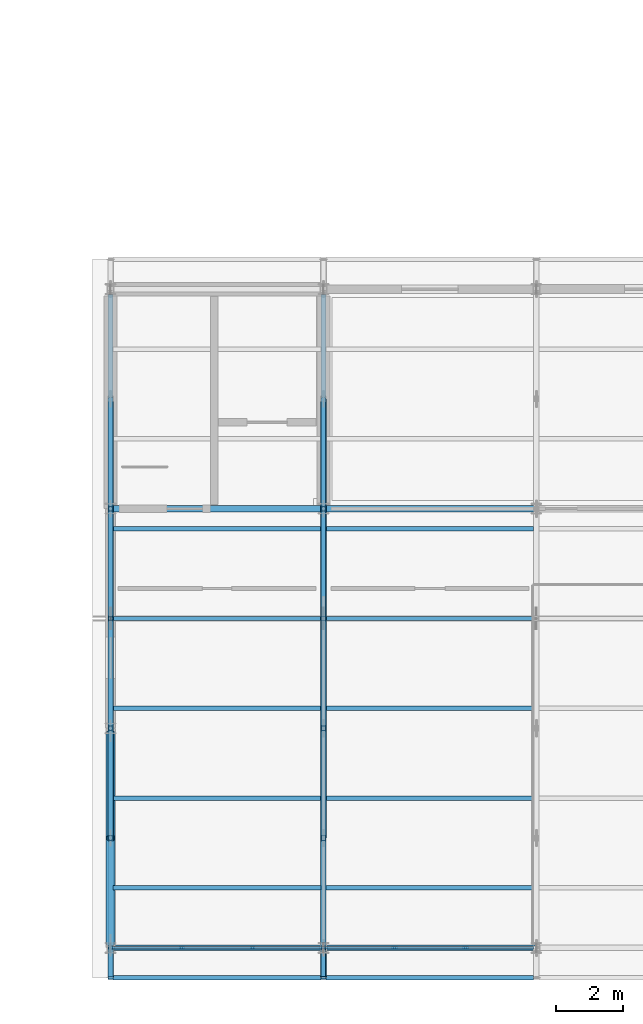
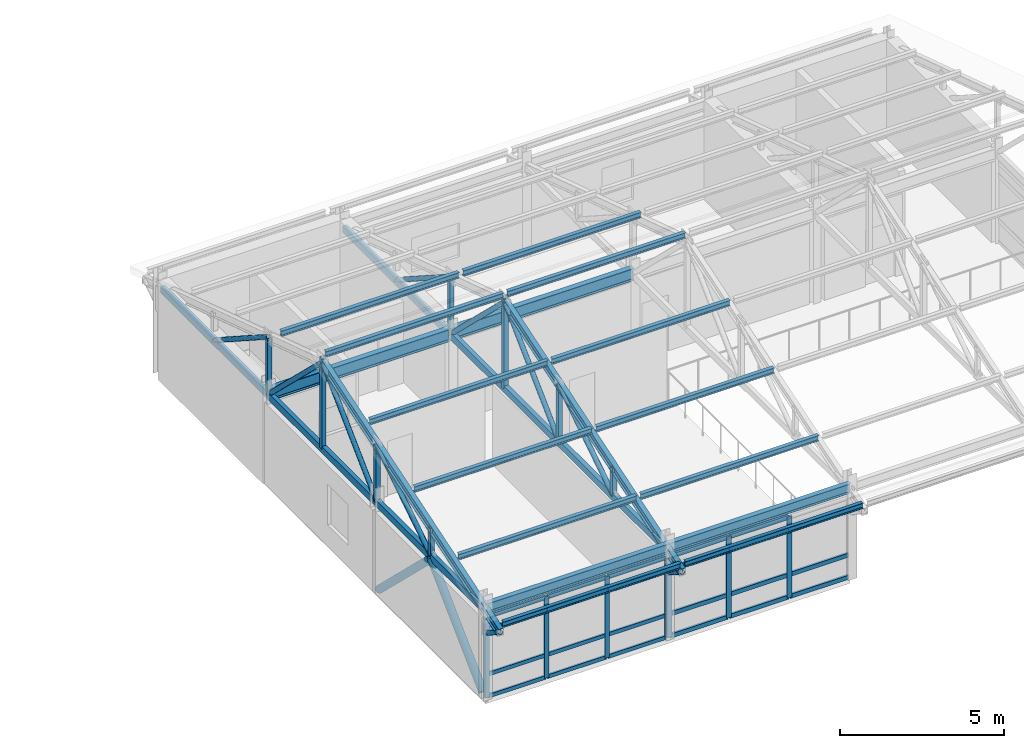
# One storey, part 13 of 57: 65 members, 4 beams, 2 elements without a shape of their own.
"""IFC4 building model written with IfcOpenShell, lengths in metres."""

from ifc_helpers import new_model, si_unit, direction, frame, origin, origin_2d, place, context, subcontext, project, spatial, rectangle, hollow_rectangle, hollow_circle, i_section, extrude, material, layer, layer_set, material_profile, profile_set, type_object, element, aggregate, save


model = new_model("IFC4")

# Units and contexts
model_context = context("Model", 3, precision=1e-05, world=origin(), true_north=direction((0.0, 1.0)))
body_context = subcontext(model_context, "Body", "Model", "MODEL_VIEW")
ifc_project = project(units=[si_unit("LENGTHUNIT", "METRE"), si_unit("AREAUNIT", "SQUARE_METRE"), si_unit("VOLUMEUNIT", "CUBIC_METRE"), si_unit("PLANEANGLEUNIT", "RADIAN"), si_unit("MASSUNIT", "GRAM", prefix="KILO")], contexts=[model_context])

# Site, building, storey
site_placement = place(None, origin())
site = spatial("IfcSite", under=ifc_project, at=site_placement, CompositionType="ELEMENT")
building_placement = place(site_placement, origin())
building = spatial("IfcBuilding", under=site, at=building_placement, Name="Trelmorton Wharf Fire Station", CompositionType="ELEMENT")
storey_placement = place(building_placement, frame((0.0, 0.0, 13.5)))
storey = spatial("IfcBuildingStorey", under=building, at=storey_placement, Name="L03", CompositionType="ELEMENT", Elevation=13.5)

# Beams
ifc_material_1 = material(Name="Steel Grade 350", Category="steel")
ifc_material_profile_1 = material_profile(ifc_material_1, i_section(OverallWidth=0.18994140625, OverallDepth=0.45703125, WebThickness=0.009033203125, FlangeThickness=0.014404296875, FilletRadius=0.011474609375, at=origin_2d()), Name="460UB74.6")
ifc_profile_set_1 = profile_set([ifc_material_profile_1], Name="Steel Grade 350")
beam_type_1 = type_object("IfcBeamType", Name="BM_460UB75", PredefinedType="BEAM", material=ifc_profile_set_1)
beam_1_placement = place(storey_placement, frame((58.00390625, 21.0, 3.29150390625), z_axis=(1.0, 0.0, 0.0), x_axis=(0.0, 1.0, 0.0)))
element("IfcBeam", 1, at=beam_1_placement, inside=storey, type_object=beam_type_1, Name="BM-L03-0893", PredefinedType="BEAM", context=body_context, shape_type="SweptSolid", body=[
    extrude(i_section(OverallWidth=0.18994140625, OverallDepth=0.45703125, WebThickness=0.009033203125, FlangeThickness=0.014404296875, FilletRadius=0.011474609375, at=origin_2d()), origin(), (0.0, 0.0, 1.0), 6.39208984375),
])
beam_2_placement = place(storey_placement, frame((64.404052734375, 21.0, 3.29150390625), z_axis=(1.0, 0.0, 0.0), x_axis=(0.0, 1.0, 0.0)))
element("IfcBeam", 2, at=beam_2_placement, inside=storey, type_object=beam_type_1, Name="BM-L03-0894", PredefinedType="BEAM", context=body_context, shape_type="SweptSolid", body=[
    extrude(i_section(OverallWidth=0.18994140625, OverallDepth=0.45703125, WebThickness=0.009033203125, FlangeThickness=0.014404296875, FilletRadius=0.011474609375, at=origin_2d()), origin(), (0.0, 0.0, 1.0), 6.391845703125),
])

# Members
ifc_material_2 = material(Name="Steel C350L0 (350 MPa)", Category="steel")
ifc_material_profile_2 = material_profile(ifc_material_2, hollow_circle(Radius=0.136474609375, WallThickness=0.00927734375, at=origin_2d()), Name="273.1x9.3CHS")
ifc_profile_set_2 = profile_set([ifc_material_profile_2], Name="Steel C350L0 (350 MPa)")
member_type_1 = type_object("IfcMemberType", Name="BR_273CHS", PredefinedType="BRACE", material=ifc_profile_set_2)
for number, where, z_axis, x_axis, name in (
    (3, (58.0, 7.95458984375, 0.1201171875), (0.0, 0.717944274776, 0.696100580604), (-1.0, 0.0, 0.0), "CBF-V3-W-L03-A"),
    (4, (58.0, 14.24560546875, 0.1201171875), (0.0, -0.717944274776, 0.696100580604), (1.0, 0.0, 0.0), "CBF-V3-W-L03-B"),
):
    element("IfcMember", number, at=place(storey_placement, frame(where, z_axis=z_axis, x_axis=x_axis)), inside=storey, type_object=member_type_1, Name=name, PredefinedType="BRACE", context=body_context, shape_type="SweptSolid", body=[
        extrude(hollow_circle(Radius=0.136474609375, WallThickness=0.00927734375, at=origin_2d()), origin(), (0.0, 0.0, 1.0), 4.38134765625),
    ])

# Curtain wall, members
ifc_material_3 = material(Name="Anodised aluminium AW-6063", Category="aluminium")
ifc_layer = layer(ifc_material_3, 0.159912109375)
ifc_layer_set = layer_set([ifc_layer], Name="Anodised aluminium AW-6063")
curtain_wall_type = type_object("IfcCurtainWallType", Name="CW_CHIC_A", PredefinedType="USERDEFINED", material=ifc_layer_set)
curtain_wall_1_placement = place(storey_placement, origin())
curtain_wall_1 = element("IfcCurtainWall", 5, at=curtain_wall_1_placement, inside=storey, type_object=curtain_wall_type, Name="CW-V3-L03-025", ObjectType="CHICAGO BAY CURTAIN WALL", PredefinedType="USERDEFINED")
ifc_material_profile_3 = material_profile(ifc_material_3, rectangle(XDim=0.06494140625, YDim=0.159912109375, at=origin_2d()), Name="ALU-65x160")
ifc_profile_set_3 = profile_set([ifc_material_profile_3], Name="Anodised aluminium AW-6063")
member_type_2 = type_object("IfcMemberType", Name="CWM_65x160", PredefinedType="MULLION", material=ifc_profile_set_3)
member_1_placement = place(storey_placement, frame((64.364990234375, 7.800048828125, 0.0), z_axis=(0.0, 0.0, 1.0), x_axis=(0.0, -1.0, 0.0)))
member_1 = element("IfcMember", 6, at=member_1_placement, type_object=member_type_2, Name="CW1 mullion 1", PredefinedType="MULLION", context=body_context, shape_type="SweptSolid", body=[
    extrude(rectangle(XDim=0.06494140625, YDim=0.159912109375, at=origin_2d()), origin(), (0.0, 0.0, 1.0), 3.02001953125),
])
member_2_placement = place(storey_placement, frame((62.264892578125, 7.800048828125, 0.0), z_axis=(0.0, 0.0, 1.0), x_axis=(0.0, -1.0, 0.0)))
member_2 = element("IfcMember", 7, at=member_2_placement, type_object=member_type_2, Name="CW1 mullion 2", PredefinedType="MULLION", context=body_context, shape_type="SweptSolid", body=[
    extrude(rectangle(XDim=0.06494140625, YDim=0.159912109375, at=origin_2d()), origin(), (0.0, 0.0, 1.0), 3.02001953125),
])
member_3_placement = place(storey_placement, frame((60.135009765625, 7.800048828125, 0.0), z_axis=(0.0, 0.0, 1.0), x_axis=(0.0, -1.0, 0.0)))
member_3 = element("IfcMember", 8, at=member_3_placement, type_object=member_type_2, Name="CW1 mullion 3", PredefinedType="MULLION", context=body_context, shape_type="SweptSolid", body=[
    extrude(rectangle(XDim=0.06494140625, YDim=0.159912109375, at=origin_2d()), origin(), (0.0, 0.0, 1.0), 3.02001953125),
])
member_4_placement = place(storey_placement, frame((58.034912109375, 7.800048828125, 0.0), z_axis=(0.0, 0.0, 1.0), x_axis=(0.0, -1.0, 0.0)))
member_4 = element("IfcMember", 9, at=member_4_placement, type_object=member_type_2, Name="CW1 mullion 4", PredefinedType="MULLION", context=body_context, shape_type="SweptSolid", body=[
    extrude(rectangle(XDim=0.06494140625, YDim=0.159912109375, at=origin_2d()), origin(), (0.0, 0.0, 1.0), 3.02001953125),
])

curtain_wall_2_placement = place(storey_placement, origin())
curtain_wall_2 = element("IfcCurtainWall", 10, at=curtain_wall_2_placement, inside=storey, type_object=curtain_wall_type, Name="CW-V3-L03-026", ObjectType="CHICAGO BAY CURTAIN WALL", PredefinedType="USERDEFINED")
ifc_material_profile_4 = material_profile(ifc_material_3, rectangle(XDim=0.074951171875, YDim=0.175048828125, at=origin_2d()), Name="ALU-75x175")
ifc_profile_set_4 = profile_set([ifc_material_profile_4], Name="Anodised aluminium AW-6063")
member_type_3 = type_object("IfcMemberType", Name="CWM_75x175", PredefinedType="MULLION", material=ifc_profile_set_4)
member_5_placement = place(storey_placement, frame((68.6650390625, 7.800048828125, 0.0), z_axis=(0.0, 0.0, 1.0), x_axis=(0.0, -1.0, 0.0)))
member_5 = element("IfcMember", 11, at=member_5_placement, type_object=member_type_3, Name="CW1 mullion 2", PredefinedType="MULLION", context=body_context, shape_type="SweptSolid", body=[
    extrude(rectangle(XDim=0.074951171875, YDim=0.175048828125, at=origin_2d()), origin(), (0.0, 0.0, 1.0), 3.02001953125),
])
member_6_placement = place(storey_placement, frame((66.534912109375, 7.800048828125, 0.0), z_axis=(0.0, 0.0, 1.0), x_axis=(0.0, -1.0, 0.0)))
member_6 = element("IfcMember", 12, at=member_6_placement, type_object=member_type_3, Name="CW1 mullion 3", PredefinedType="MULLION", context=body_context, shape_type="SweptSolid", body=[
    extrude(rectangle(XDim=0.074951171875, YDim=0.175048828125, at=origin_2d()), origin(), (0.0, 0.0, 1.0), 3.02001953125),
])
member_7_placement = place(storey_placement, frame((64.43505859375, 7.800048828125, 0.0), z_axis=(0.0, 0.0, 1.0), x_axis=(0.0, -1.0, 0.0)))
member_7 = element("IfcMember", 13, at=member_7_placement, type_object=member_type_3, Name="CW1 mullion 4", PredefinedType="MULLION", context=body_context, shape_type="SweptSolid", body=[
    extrude(rectangle(XDim=0.074951171875, YDim=0.175048828125, at=origin_2d()), origin(), (0.0, 0.0, 1.0), 3.02001953125),
])

# Member
ifc_material_profile_5 = material_profile(ifc_material_3, rectangle(XDim=0.06494140625, YDim=0.139892578125, at=origin_2d()), Name="ALU-65x140")
ifc_profile_set_5 = profile_set([ifc_material_profile_5], Name="Anodised aluminium AW-6063")
member_type_4 = type_object("IfcMemberType", Name="CWT_65x140", PredefinedType="USERDEFINED", material=ifc_profile_set_5)
member_8_placement = place(storey_placement, frame((64.3349609375, 7.800048828125, 0.030029296875), z_axis=(-1.0, 0.0, 0.0), x_axis=(0.0, -1.0, 0.0)))
member_8 = element("IfcMember", 14, at=member_8_placement, type_object=member_type_4, Name="CW1 transom 1.1", ObjectType="TRANSOM", PredefinedType="USERDEFINED", context=body_context, shape_type="SweptSolid", body=[
    extrude(rectangle(XDim=0.06494140625, YDim=0.139892578125, at=origin_2d()), origin(), (0.0, 0.0, 1.0), 2.0400390625),
])

member_9_placement = place(storey_placement, frame((64.3349609375, 7.800048828125, 0.85009765625), z_axis=(-1.0, 0.0, 0.0), x_axis=(0.0, -1.0, 0.0)))
member_9 = element("IfcMember", 15, at=member_9_placement, type_object=member_type_4, Name="CW1 transom 1.2", ObjectType="TRANSOM", PredefinedType="USERDEFINED", context=body_context, shape_type="SweptSolid", body=[
    extrude(rectangle(XDim=0.06494140625, YDim=0.139892578125, at=origin_2d()), origin(), (0.0, 0.0, 1.0), 2.0400390625),
])

member_10_placement = place(storey_placement, frame((64.3349609375, 7.800048828125, 2.52001953125), z_axis=(-1.0, 0.0, 0.0), x_axis=(0.0, -1.0, 0.0)))
member_10 = element("IfcMember", 16, at=member_10_placement, type_object=member_type_4, Name="CW1 transom 1.3", ObjectType="TRANSOM", PredefinedType="USERDEFINED", context=body_context, shape_type="SweptSolid", body=[
    extrude(rectangle(XDim=0.06494140625, YDim=0.139892578125, at=origin_2d()), origin(), (0.0, 0.0, 1.0), 2.0400390625),
])

member_11_placement = place(storey_placement, frame((64.3349609375, 7.800048828125, 2.989990234375), z_axis=(-1.0, 0.0, 0.0), x_axis=(0.0, -1.0, 0.0)))
member_11 = element("IfcMember", 17, at=member_11_placement, type_object=member_type_4, Name="CW1 transom 1.4", ObjectType="TRANSOM", PredefinedType="USERDEFINED", context=body_context, shape_type="SweptSolid", body=[
    extrude(rectangle(XDim=0.06494140625, YDim=0.139892578125, at=origin_2d()), origin(), (0.0, 0.0, 1.0), 2.0400390625),
])

member_12_placement = place(storey_placement, frame((62.235107421875, 7.800048828125, 0.030029296875), z_axis=(-1.0, 0.0, 0.0), x_axis=(0.0, -1.0, 0.0)))
member_12 = element("IfcMember", 18, at=member_12_placement, type_object=member_type_4, Name="CW1 transom 2.1", ObjectType="TRANSOM", PredefinedType="USERDEFINED", context=body_context, shape_type="SweptSolid", body=[
    extrude(rectangle(XDim=0.06494140625, YDim=0.139892578125, at=origin_2d()), origin(), (0.0, 0.0, 1.0), 2.070068359375),
])

member_13_placement = place(storey_placement, frame((62.235107421875, 7.800048828125, 0.85009765625), z_axis=(-1.0, 0.0, 0.0), x_axis=(0.0, -1.0, 0.0)))
member_13 = element("IfcMember", 19, at=member_13_placement, type_object=member_type_4, Name="CW1 transom 2.2", ObjectType="TRANSOM", PredefinedType="USERDEFINED", context=body_context, shape_type="SweptSolid", body=[
    extrude(rectangle(XDim=0.06494140625, YDim=0.139892578125, at=origin_2d()), origin(), (0.0, 0.0, 1.0), 2.070068359375),
])

member_14_placement = place(storey_placement, frame((62.235107421875, 7.800048828125, 2.52001953125), z_axis=(-1.0, 0.0, 0.0), x_axis=(0.0, -1.0, 0.0)))
member_14 = element("IfcMember", 20, at=member_14_placement, type_object=member_type_4, Name="CW1 transom 2.3", ObjectType="TRANSOM", PredefinedType="USERDEFINED", context=body_context, shape_type="SweptSolid", body=[
    extrude(rectangle(XDim=0.06494140625, YDim=0.139892578125, at=origin_2d()), origin(), (0.0, 0.0, 1.0), 2.070068359375),
])

member_15_placement = place(storey_placement, frame((62.235107421875, 7.800048828125, 2.989990234375), z_axis=(-1.0, 0.0, 0.0), x_axis=(0.0, -1.0, 0.0)))
member_15 = element("IfcMember", 21, at=member_15_placement, type_object=member_type_4, Name="CW1 transom 2.4", ObjectType="TRANSOM", PredefinedType="USERDEFINED", context=body_context, shape_type="SweptSolid", body=[
    extrude(rectangle(XDim=0.06494140625, YDim=0.139892578125, at=origin_2d()), origin(), (0.0, 0.0, 1.0), 2.070068359375),
])

member_16_placement = place(storey_placement, frame((60.10498046875, 7.800048828125, 0.030029296875), z_axis=(-1.0, 0.0, 0.0), x_axis=(0.0, -1.0, 0.0)))
member_16 = element("IfcMember", 22, at=member_16_placement, type_object=member_type_4, Name="CW1 transom 3.1", ObjectType="TRANSOM", PredefinedType="USERDEFINED", context=body_context, shape_type="SweptSolid", body=[
    extrude(rectangle(XDim=0.06494140625, YDim=0.139892578125, at=origin_2d()), origin(), (0.0, 0.0, 1.0), 2.0400390625),
])

member_17_placement = place(storey_placement, frame((60.10498046875, 7.800048828125, 0.85009765625), z_axis=(-1.0, 0.0, 0.0), x_axis=(0.0, -1.0, 0.0)))
member_17 = element("IfcMember", 23, at=member_17_placement, type_object=member_type_4, Name="CW1 transom 3.2", ObjectType="TRANSOM", PredefinedType="USERDEFINED", context=body_context, shape_type="SweptSolid", body=[
    extrude(rectangle(XDim=0.06494140625, YDim=0.139892578125, at=origin_2d()), origin(), (0.0, 0.0, 1.0), 2.0400390625),
])

member_18_placement = place(storey_placement, frame((60.10498046875, 7.800048828125, 2.52001953125), z_axis=(-1.0, 0.0, 0.0), x_axis=(0.0, -1.0, 0.0)))
member_18 = element("IfcMember", 24, at=member_18_placement, type_object=member_type_4, Name="CW1 transom 3.3", ObjectType="TRANSOM", PredefinedType="USERDEFINED", context=body_context, shape_type="SweptSolid", body=[
    extrude(rectangle(XDim=0.06494140625, YDim=0.139892578125, at=origin_2d()), origin(), (0.0, 0.0, 1.0), 2.0400390625),
])

member_19_placement = place(storey_placement, frame((60.10498046875, 7.800048828125, 2.989990234375), z_axis=(-1.0, 0.0, 0.0), x_axis=(0.0, -1.0, 0.0)))
member_19 = element("IfcMember", 25, at=member_19_placement, type_object=member_type_4, Name="CW1 transom 3.4", ObjectType="TRANSOM", PredefinedType="USERDEFINED", context=body_context, shape_type="SweptSolid", body=[
    extrude(rectangle(XDim=0.06494140625, YDim=0.139892578125, at=origin_2d()), origin(), (0.0, 0.0, 1.0), 2.0400390625),
])

aggregate(curtain_wall_1, [member_1, member_2, member_3, member_4, member_8, member_9, member_10, member_11, member_12, member_13, member_14, member_15, member_16, member_17, member_18, member_19])

ifc_material_profile_6 = material_profile(ifc_material_3, rectangle(XDim=0.074951171875, YDim=0.155029296875, at=origin_2d()), Name="ALU-75x155")
ifc_profile_set_6 = profile_set([ifc_material_profile_6], Name="Anodised aluminium AW-6063")
member_type_5 = type_object("IfcMemberType", Name="CWT_75x155", PredefinedType="USERDEFINED", material=ifc_profile_set_6)
member_20_placement = place(storey_placement, frame((70.735107421875, 7.800048828125, 0.030029296875), z_axis=(-1.0, 0.0, 0.0), x_axis=(0.0, -1.0, 0.0)))
member_20 = element("IfcMember", 26, at=member_20_placement, type_object=member_type_5, Name="CW1 transom 1.1", ObjectType="TRANSOM", PredefinedType="USERDEFINED", context=body_context, shape_type="SweptSolid", body=[
    extrude(rectangle(XDim=0.074951171875, YDim=0.155029296875, at=origin_2d()), origin(), (0.0, 0.0, 1.0), 2.0400390625),
])

member_21_placement = place(storey_placement, frame((70.735107421875, 7.800048828125, 0.85009765625), z_axis=(-1.0, 0.0, 0.0), x_axis=(0.0, -1.0, 0.0)))
member_21 = element("IfcMember", 27, at=member_21_placement, type_object=member_type_5, Name="CW1 transom 1.2", ObjectType="TRANSOM", PredefinedType="USERDEFINED", context=body_context, shape_type="SweptSolid", body=[
    extrude(rectangle(XDim=0.074951171875, YDim=0.155029296875, at=origin_2d()), origin(), (0.0, 0.0, 1.0), 2.0400390625),
])

member_22_placement = place(storey_placement, frame((68.635009765625, 7.800048828125, 0.030029296875), z_axis=(-1.0, 0.0, 0.0), x_axis=(0.0, -1.0, 0.0)))
member_22 = element("IfcMember", 28, at=member_22_placement, type_object=member_type_5, Name="CW1 transom 2.1", ObjectType="TRANSOM", PredefinedType="USERDEFINED", context=body_context, shape_type="SweptSolid", body=[
    extrude(rectangle(XDim=0.074951171875, YDim=0.155029296875, at=origin_2d()), origin(), (0.0, 0.0, 1.0), 2.070068359375),
])

member_23_placement = place(storey_placement, frame((68.635009765625, 7.800048828125, 0.85009765625), z_axis=(-1.0, 0.0, 0.0), x_axis=(0.0, -1.0, 0.0)))
member_23 = element("IfcMember", 29, at=member_23_placement, type_object=member_type_5, Name="CW1 transom 2.2", ObjectType="TRANSOM", PredefinedType="USERDEFINED", context=body_context, shape_type="SweptSolid", body=[
    extrude(rectangle(XDim=0.074951171875, YDim=0.155029296875, at=origin_2d()), origin(), (0.0, 0.0, 1.0), 2.070068359375),
])

member_24_placement = place(storey_placement, frame((68.635009765625, 7.800048828125, 2.52001953125), z_axis=(-1.0, 0.0, 0.0), x_axis=(0.0, -1.0, 0.0)))
member_24 = element("IfcMember", 30, at=member_24_placement, type_object=member_type_5, Name="CW1 transom 2.3", ObjectType="TRANSOM", PredefinedType="USERDEFINED", context=body_context, shape_type="SweptSolid", body=[
    extrude(rectangle(XDim=0.074951171875, YDim=0.155029296875, at=origin_2d()), origin(), (0.0, 0.0, 1.0), 2.070068359375),
])

member_25_placement = place(storey_placement, frame((68.635009765625, 7.800048828125, 2.989990234375), z_axis=(-1.0, 0.0, 0.0), x_axis=(0.0, -1.0, 0.0)))
member_25 = element("IfcMember", 31, at=member_25_placement, type_object=member_type_5, Name="CW1 transom 2.4", ObjectType="TRANSOM", PredefinedType="USERDEFINED", context=body_context, shape_type="SweptSolid", body=[
    extrude(rectangle(XDim=0.074951171875, YDim=0.155029296875, at=origin_2d()), origin(), (0.0, 0.0, 1.0), 2.070068359375),
])

member_26_placement = place(storey_placement, frame((66.5048828125, 7.800048828125, 0.030029296875), z_axis=(-1.0, 0.0, 0.0), x_axis=(0.0, -1.0, 0.0)))
member_26 = element("IfcMember", 32, at=member_26_placement, type_object=member_type_5, Name="CW1 transom 3.1", ObjectType="TRANSOM", PredefinedType="USERDEFINED", context=body_context, shape_type="SweptSolid", body=[
    extrude(rectangle(XDim=0.074951171875, YDim=0.155029296875, at=origin_2d()), origin(), (0.0, 0.0, 1.0), 2.039794921875),
])

member_27_placement = place(storey_placement, frame((66.5048828125, 7.800048828125, 0.85009765625), z_axis=(-1.0, 0.0, 0.0), x_axis=(0.0, -1.0, 0.0)))
member_27 = element("IfcMember", 33, at=member_27_placement, type_object=member_type_5, Name="CW1 transom 3.2", ObjectType="TRANSOM", PredefinedType="USERDEFINED", context=body_context, shape_type="SweptSolid", body=[
    extrude(rectangle(XDim=0.074951171875, YDim=0.155029296875, at=origin_2d()), origin(), (0.0, 0.0, 1.0), 2.039794921875),
])

member_28_placement = place(storey_placement, frame((66.5048828125, 7.800048828125, 2.52001953125), z_axis=(-1.0, 0.0, 0.0), x_axis=(0.0, -1.0, 0.0)))
member_28 = element("IfcMember", 34, at=member_28_placement, type_object=member_type_5, Name="CW1 transom 3.3", ObjectType="TRANSOM", PredefinedType="USERDEFINED", context=body_context, shape_type="SweptSolid", body=[
    extrude(rectangle(XDim=0.074951171875, YDim=0.155029296875, at=origin_2d()), origin(), (0.0, 0.0, 1.0), 2.039794921875),
])

member_29_placement = place(storey_placement, frame((66.5048828125, 7.800048828125, 2.989990234375), z_axis=(-1.0, 0.0, 0.0), x_axis=(0.0, -1.0, 0.0)))
member_29 = element("IfcMember", 35, at=member_29_placement, type_object=member_type_5, Name="CW1 transom 3.4", ObjectType="TRANSOM", PredefinedType="USERDEFINED", context=body_context, shape_type="SweptSolid", body=[
    extrude(rectangle(XDim=0.074951171875, YDim=0.155029296875, at=origin_2d()), origin(), (0.0, 0.0, 1.0), 2.039794921875),
])

aggregate(curtain_wall_2, [member_5, member_6, member_7, member_20, member_21, member_22, member_23, member_24, member_25, member_26, member_27, member_28, member_29])

# Members
ifc_material_4 = material(Name="Steel Grade 300 (300 MPa)", Category="steel")
ifc_material_profile_7 = material_profile(ifc_material_4, i_section(OverallWidth=0.134033203125, OverallDepth=0.20703125, WebThickness=0.00634765625, FlangeThickness=0.009521484375, FilletRadius=0.0087890625, at=origin_2d()), Name="200UB29.8")
ifc_profile_set_7 = profile_set([ifc_material_profile_7], Name="Steel Grade 300 (300 MPa)")
member_type_6 = type_object("IfcMemberType", Name="PR_200UB30", PredefinedType="PURLIN", material=ifc_profile_set_7)
for number, where, z_axis, x_axis, name in (
    (36, (58.080078125, 6.89990234375, 3.255126953125), (1.0, 0.0, 0.0), (0.0, 1.0, 0.0), "V3-PR-B01-S0"),
    (37, (58.080078125, 9.60009765625, 4.127685546875), (1.0, 0.0, 0.0), (0.0, 1.0, 0.0), "V3-PR-B01-S1"),
    (38, (58.080078125, 12.300048828125, 5.00048828125), (1.0, 0.0, 0.0), (0.0, 1.0, 0.0), "V3-PR-B01-S2"),
    (39, (58.080078125, 15.0, 5.873291015625), (1.0, 0.0, 0.0), (0.0, 1.0, 0.0), "V3-PR-B01-S3"),
    (40, (58.080078125, 17.699951171875, 6.74609375), (1.0, 0.0, 0.0), (0.0, 1.0, 0.0), "V3-PR-B01-S4"),
    (41, (58.080078125, 20.39990234375, 5.873291015625), (1.0, 0.0, 0.0), (0.0, 1.0, 0.0), "V3-PR-B01-N1"),
    (42, (64.47998046875, 6.89990234375, 3.255126953125), (1.0, 0.0, 0.0), (0.0, 1.0, 0.0), "V3-PR-B02-S0"),
    (43, (64.47998046875, 9.60009765625, 4.127685546875), (1.0, 0.0, 0.0), (0.0, 1.0, 0.0), "V3-PR-B02-S1"),
    (44, (64.47998046875, 12.300048828125, 5.00048828125), (1.0, 0.0, 0.0), (0.0, 1.0, 0.0), "V3-PR-B02-S2"),
    (45, (64.47998046875, 15.0, 5.873291015625), (1.0, 0.0, 0.0), (0.0, 1.0, 0.0), "V3-PR-B02-S3"),
    (46, (64.47998046875, 17.699951171875, 6.74609375), (1.0, 0.0, 0.0), (0.0, 1.0, 0.0), "V3-PR-B02-S4"),
    (47, (64.47998046875, 20.39990234375, 5.873291015625), (1.0, 0.0, 0.0), (0.0, 1.0, 0.0), "V3-PR-B02-N1"),
):
    element("IfcMember", number, at=place(storey_placement, frame(where, z_axis=z_axis, x_axis=x_axis)), inside=storey, type_object=member_type_6, Name=name, PredefinedType="PURLIN", context=body_context, shape_type="SweptSolid", body=[
        extrude(i_section(OverallWidth=0.134033203125, OverallDepth=0.20703125, WebThickness=0.00634765625, FlangeThickness=0.009521484375, FilletRadius=0.0087890625, at=origin_2d()), origin(), (0.0, 0.0, 1.0), 6.239990234375),
    ])

# Beams
ifc_material_profile_8 = material_profile(ifc_material_1, i_section(OverallWidth=0.1708984375, OverallDepth=0.35595703125, WebThickness=0.00732421875, FlangeThickness=0.011474609375, FilletRadius=0.011474609375, at=origin_2d()), Name="360UB50.7")
ifc_profile_set_8 = profile_set([ifc_material_profile_8], Name="Steel Grade 350")
beam_type_2 = type_object("IfcBeamType", Name="SP_360UB51", PredefinedType="SPANDREL", material=ifc_profile_set_8)
beam_3_placement = place(storey_placement, frame((58.00390625, 7.800048828125, 3.342041015625), z_axis=(1.0, 0.0, 0.0), x_axis=(0.0, 1.0, 0.0)))
element("IfcBeam", 48, at=beam_3_placement, inside=storey, type_object=beam_type_2, Name="BM-L03-0873", PredefinedType="SPANDREL", context=body_context, shape_type="SweptSolid", body=[
    extrude(i_section(OverallWidth=0.1708984375, OverallDepth=0.35595703125, WebThickness=0.00732421875, FlangeThickness=0.011474609375, FilletRadius=0.011474609375, at=origin_2d()), origin(), (0.0, 0.0, 1.0), 6.39208984375),
])
beam_4_placement = place(storey_placement, frame((64.404052734375, 7.800048828125, 3.342041015625), z_axis=(1.0, 0.0, 0.0), x_axis=(0.0, 1.0, 0.0)))
element("IfcBeam", 49, at=beam_4_placement, inside=storey, type_object=beam_type_2, Name="BM-L03-0874", PredefinedType="SPANDREL", context=body_context, shape_type="SweptSolid", body=[
    extrude(i_section(OverallWidth=0.1708984375, OverallDepth=0.35595703125, WebThickness=0.00732421875, FlangeThickness=0.011474609375, FilletRadius=0.011474609375, at=origin_2d()), origin(), (0.0, 0.0, 1.0), 6.391845703125),
])

# Members
ifc_material_profile_9 = material_profile(ifc_material_2, hollow_rectangle(XDim=0.14990234375, YDim=0.25, WallThickness=0.009033203125, at=origin_2d()), Name="250x150x9.0RHS")
ifc_profile_set_9 = profile_set([ifc_material_profile_9], Name="Steel C350L0 (350 MPa)")
member_type_7 = type_object("IfcMemberType", Name="TR_CHORD_250RHS", PredefinedType="CHORD", material=ifc_profile_set_9)
for number, where, z_axis, x_axis, name in (
    (50, (58.0, 7.95361328125, 3.265869140625), (0.0, 1.0, 0.0), (-1.0, 0.0, 0.0), "V3-TR01-BC"),
    (51, (64.39990234375, 7.95361328125, 3.265869140625), (0.0, 1.0, 0.0), (-1.0, 0.0, 0.0), "V3-TR02-BC"),
):
    element("IfcMember", number, at=place(storey_placement, frame(where, z_axis=z_axis, x_axis=x_axis)), inside=storey, type_object=member_type_7, Name=name, PredefinedType="CHORD", context=body_context, shape_type="SweptSolid", body=[
        extrude(hollow_rectangle(XDim=0.14990234375, YDim=0.25, WallThickness=0.009033203125, at=origin_2d()), origin(), (0.0, 0.0, 1.0), 19.492919921875),
    ])
ifc_material_profile_10 = material_profile(ifc_material_2, hollow_circle(Radius=0.084228515625, WallThickness=0.007080078125, at=origin_2d()), Name="168.3x7.1CHS")
ifc_profile_set_10 = profile_set([ifc_material_profile_10], Name="Steel C350L0 (350 MPa)")
member_type_8 = type_object("IfcMemberType", Name="TR_DIAG_168CHS", PredefinedType="STRUT", material=ifc_profile_set_10)
member_30_placement = place(storey_placement, frame((58.0, 7.800048828125, 2.39990234375), z_axis=(0.0, -0.84265305231, 0.538456900256), x_axis=(1.0, 0.0, 0.0)))
element("IfcMember", 52, at=member_30_placement, inside=storey, type_object=member_type_8, Name="V3-TR01-EAV-S", PredefinedType="STRUT", context=body_context, shape_type="SweptSolid", body=[
    extrude(hollow_circle(Radius=0.084228515625, WallThickness=0.007080078125, at=origin_2d()), origin(), (0.0, 0.0, 1.0), 1.068115234375),
])
member_31_placement = place(storey_placement, frame((58.0, 11.10009765625, 3.265869140625), z_axis=(0.0, 0.839786797403, 0.542916324039), x_axis=(-1.0, 0.0, 0.0)))
element("IfcMember", 53, at=member_31_placement, inside=storey, type_object=member_type_8, Name="V3-TR01-DG-S1", PredefinedType="STRUT", context=body_context, shape_type="SweptSolid", body=[
    extrude(hollow_circle(Radius=0.084228515625, WallThickness=0.007080078125, at=origin_2d()), origin(), (0.0, 0.0, 1.0), 3.929443359375),
])
member_32_placement = place(storey_placement, frame((58.0, 14.39990234375, 3.265869140625), z_axis=(0.0, 0.717910849815, 0.696135052787), x_axis=(-1.0, 0.0, 0.0)))
element("IfcMember", 54, at=member_32_placement, inside=storey, type_object=member_type_8, Name="V3-TR01-DG-S2", PredefinedType="STRUT", context=body_context, shape_type="SweptSolid", body=[
    extrude(hollow_circle(Radius=0.084228515625, WallThickness=0.007080078125, at=origin_2d()), origin(), (0.0, 0.0, 1.0), 4.5966796875),
])
member_33_placement = place(storey_placement, frame((58.0, 24.300048828125, 3.265869140625), z_axis=(0.0, -0.839805110115, 0.542887996759), x_axis=(1.0, 0.0, 0.0)))
element("IfcMember", 55, at=member_33_placement, inside=storey, type_object=member_type_8, Name="V3-TR01-DG-N1", PredefinedType="STRUT", context=body_context, shape_type="SweptSolid", body=[
    extrude(hollow_circle(Radius=0.084228515625, WallThickness=0.007080078125, at=origin_2d()), origin(), (0.0, 0.0, 1.0), 3.929443359375),
])
member_34_placement = place(storey_placement, frame((58.0, 21.0, 3.265869140625), z_axis=(0.0, -0.717910849815, 0.696135052787), x_axis=(1.0, 0.0, 0.0)))
element("IfcMember", 56, at=member_34_placement, inside=storey, type_object=member_type_8, Name="V3-TR01-DG-N2", PredefinedType="STRUT", context=body_context, shape_type="SweptSolid", body=[
    extrude(hollow_circle(Radius=0.084228515625, WallThickness=0.007080078125, at=origin_2d()), origin(), (0.0, 0.0, 1.0), 4.5966796875),
])
member_35_placement = place(storey_placement, frame((64.39990234375, 7.800048828125, 2.39990234375), z_axis=(0.0, -0.84265305231, 0.538456900256), x_axis=(1.0, 0.0, 0.0)))
element("IfcMember", 57, at=member_35_placement, inside=storey, type_object=member_type_8, Name="V3-TR02-EAV-S", PredefinedType="STRUT", context=body_context, shape_type="SweptSolid", body=[
    extrude(hollow_circle(Radius=0.084228515625, WallThickness=0.007080078125, at=origin_2d()), origin(), (0.0, 0.0, 1.0), 1.068115234375),
])
member_36_placement = place(storey_placement, frame((64.39990234375, 11.10009765625, 3.265869140625), z_axis=(0.0, 0.839786797403, 0.542916324039), x_axis=(-1.0, 0.0, 0.0)))
element("IfcMember", 58, at=member_36_placement, inside=storey, type_object=member_type_8, Name="V3-TR02-DG-S1", PredefinedType="STRUT", context=body_context, shape_type="SweptSolid", body=[
    extrude(hollow_circle(Radius=0.084228515625, WallThickness=0.007080078125, at=origin_2d()), origin(), (0.0, 0.0, 1.0), 3.929443359375),
])
member_37_placement = place(storey_placement, frame((64.39990234375, 14.39990234375, 3.265869140625), z_axis=(0.0, 0.717910849815, 0.696135052787), x_axis=(-1.0, 0.0, 0.0)))
element("IfcMember", 59, at=member_37_placement, inside=storey, type_object=member_type_8, Name="V3-TR02-DG-S2", PredefinedType="STRUT", context=body_context, shape_type="SweptSolid", body=[
    extrude(hollow_circle(Radius=0.084228515625, WallThickness=0.007080078125, at=origin_2d()), origin(), (0.0, 0.0, 1.0), 4.5966796875),
])
member_38_placement = place(storey_placement, frame((64.39990234375, 24.300048828125, 3.265869140625), z_axis=(0.0, -0.839805110115, 0.542887996759), x_axis=(1.0, 0.0, 0.0)))
element("IfcMember", 60, at=member_38_placement, inside=storey, type_object=member_type_8, Name="V3-TR02-DG-N1", PredefinedType="STRUT", context=body_context, shape_type="SweptSolid", body=[
    extrude(hollow_circle(Radius=0.084228515625, WallThickness=0.007080078125, at=origin_2d()), origin(), (0.0, 0.0, 1.0), 3.929443359375),
])
member_39_placement = place(storey_placement, frame((64.39990234375, 21.0, 3.265869140625), z_axis=(0.0, -0.717910849815, 0.696135052787), x_axis=(1.0, 0.0, 0.0)))
element("IfcMember", 61, at=member_39_placement, inside=storey, type_object=member_type_8, Name="V3-TR02-DG-N2", PredefinedType="STRUT", context=body_context, shape_type="SweptSolid", body=[
    extrude(hollow_circle(Radius=0.084228515625, WallThickness=0.007080078125, at=origin_2d()), origin(), (0.0, 0.0, 1.0), 4.5966796875),
])
ifc_material_profile_11 = material_profile(ifc_material_2, hollow_rectangle(XDim=0.14990234375, YDim=0.14990234375, WallThickness=0.009033203125, at=origin_2d()), Name="150x150x9.0SHS")
ifc_profile_set_11 = profile_set([ifc_material_profile_11], Name="Steel C350L0 (350 MPa)")
member_type_9 = type_object("IfcMemberType", Name="TR_POST_150SHS", PredefinedType="POST", material=ifc_profile_set_11)
member_40_placement = place(storey_placement, frame((58.0, 17.699951171875, 3.265869140625), z_axis=(0.0, 0.0, 1.0), x_axis=(1.0, 0.0, 0.0)))
element("IfcMember", 62, at=member_40_placement, inside=storey, type_object=member_type_9, Name="V3-TR01-KP", PredefinedType="POST", context=body_context, shape_type="SweptSolid", body=[
    extrude(hollow_rectangle(XDim=0.14990234375, YDim=0.14990234375, WallThickness=0.009033203125, at=origin_2d()), origin(), (0.0, 0.0, 1.0), 3.380615234375),
])
member_41_placement = place(storey_placement, frame((58.0, 11.10009765625, 3.265869140625), z_axis=(0.0, 0.0, 1.0), x_axis=(1.0, 0.0, 0.0)))
element("IfcMember", 63, at=member_41_placement, inside=storey, type_object=member_type_9, Name="V3-TR01-VP-S1", PredefinedType="POST", context=body_context, shape_type="SweptSolid", body=[
    extrude(hollow_rectangle(XDim=0.14990234375, YDim=0.14990234375, WallThickness=0.009033203125, at=origin_2d()), origin(), (0.0, 0.0, 1.0), 1.066650390625),
])
for number, where, z_axis, x_axis, name in (
    (64, (58.0, 14.39990234375, 3.265869140625), (0.0, 0.0, 1.0), (1.0, 0.0, 0.0), "V3-TR01-VP-S2"),
    (65, (58.0, 21.0, 3.265869140625), (0.0, 0.0, 1.0), (1.0, 0.0, 0.0), "V3-TR01-VP-N2"),
):
    element("IfcMember", number, at=place(storey_placement, frame(where, z_axis=z_axis, x_axis=x_axis)), inside=storey, type_object=member_type_9, Name=name, PredefinedType="POST", context=body_context, shape_type="SweptSolid", body=[
        extrude(hollow_rectangle(XDim=0.14990234375, YDim=0.14990234375, WallThickness=0.009033203125, at=origin_2d()), origin(), (0.0, 0.0, 1.0), 2.13330078125),
    ])
member_42_placement = place(storey_placement, frame((64.39990234375, 17.699951171875, 3.265869140625), z_axis=(0.0, 0.0, 1.0), x_axis=(1.0, 0.0, 0.0)))
element("IfcMember", 66, at=member_42_placement, inside=storey, type_object=member_type_9, Name="V3-TR02-KP", PredefinedType="POST", context=body_context, shape_type="SweptSolid", body=[
    extrude(hollow_rectangle(XDim=0.14990234375, YDim=0.14990234375, WallThickness=0.009033203125, at=origin_2d()), origin(), (0.0, 0.0, 1.0), 3.380615234375),
])
member_43_placement = place(storey_placement, frame((64.39990234375, 11.10009765625, 3.265869140625), z_axis=(0.0, 0.0, 1.0), x_axis=(1.0, 0.0, 0.0)))
element("IfcMember", 67, at=member_43_placement, inside=storey, type_object=member_type_9, Name="V3-TR02-VP-S1", PredefinedType="POST", context=body_context, shape_type="SweptSolid", body=[
    extrude(hollow_rectangle(XDim=0.14990234375, YDim=0.14990234375, WallThickness=0.009033203125, at=origin_2d()), origin(), (0.0, 0.0, 1.0), 1.066650390625),
])
for number, where, z_axis, x_axis, name in (
    (68, (64.39990234375, 14.39990234375, 3.265869140625), (0.0, 0.0, 1.0), (1.0, 0.0, 0.0), "V3-TR02-VP-S2"),
    (69, (64.39990234375, 21.0, 3.265869140625), (0.0, 0.0, 1.0), (1.0, 0.0, 0.0), "V3-TR02-VP-N2"),
):
    element("IfcMember", number, at=place(storey_placement, frame(where, z_axis=z_axis, x_axis=x_axis)), inside=storey, type_object=member_type_9, Name=name, PredefinedType="POST", context=body_context, shape_type="SweptSolid", body=[
        extrude(hollow_rectangle(XDim=0.14990234375, YDim=0.14990234375, WallThickness=0.009033203125, at=origin_2d()), origin(), (0.0, 0.0, 1.0), 2.13330078125),
    ])
ifc_material_profile_12 = material_profile(ifc_material_1, i_section(OverallWidth=0.166015625, OverallDepth=0.306884765625, WebThickness=0.006591796875, FlangeThickness=0.01171875, FilletRadius=0.011474609375, at=origin_2d()), Name="310UB46.2")
ifc_profile_set_12 = profile_set([ifc_material_profile_12], Name="Steel Grade 350")
member_type_10 = type_object("IfcMemberType", Name="TR_RAFT_310UB", PredefinedType="RAFTER", material=ifc_profile_set_12)
for number, where, z_axis, x_axis, name in (
    (70, (58.0, 6.89990234375, 2.97509765625), (0.0, 0.951532489935, 0.30754824109), (-1.0, 0.0, 0.0), "V3-TR01-RFS"),
    (71, (64.39990234375, 6.89990234375, 2.97509765625), (0.0, 0.951532489935, 0.30754824109), (-1.0, 0.0, 0.0), "V3-TR02-RFS"),
):
    element("IfcMember", number, at=place(storey_placement, frame(where, z_axis=z_axis, x_axis=x_axis)), inside=storey, type_object=member_type_10, Name=name, PredefinedType="RAFTER", context=body_context, shape_type="SweptSolid", body=[
        extrude(i_section(OverallWidth=0.166015625, OverallDepth=0.306884765625, WebThickness=0.006591796875, FlangeThickness=0.01171875, FilletRadius=0.011474609375, at=origin_2d()), origin(), (0.0, 0.0, 1.0), 11.35009765625),
    ])

save(model, "model.ifc")
